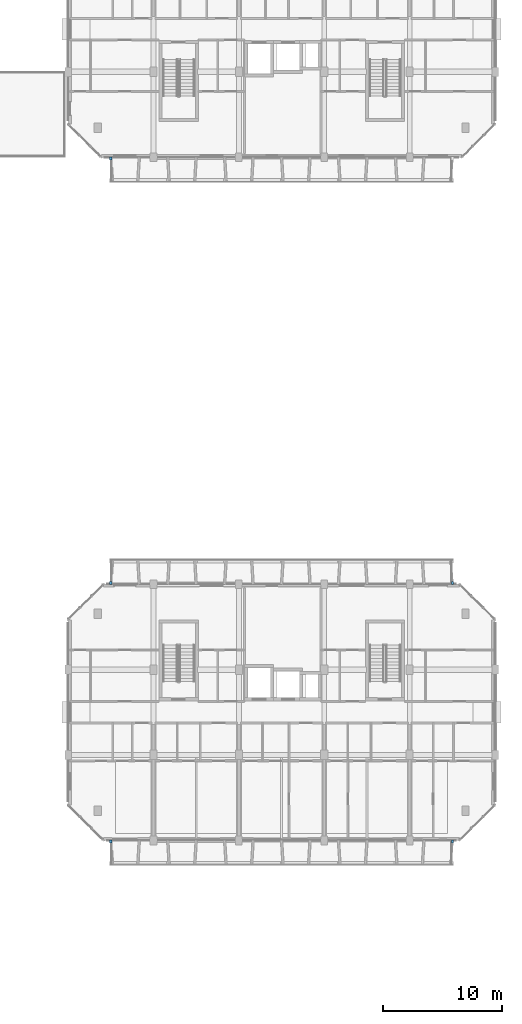
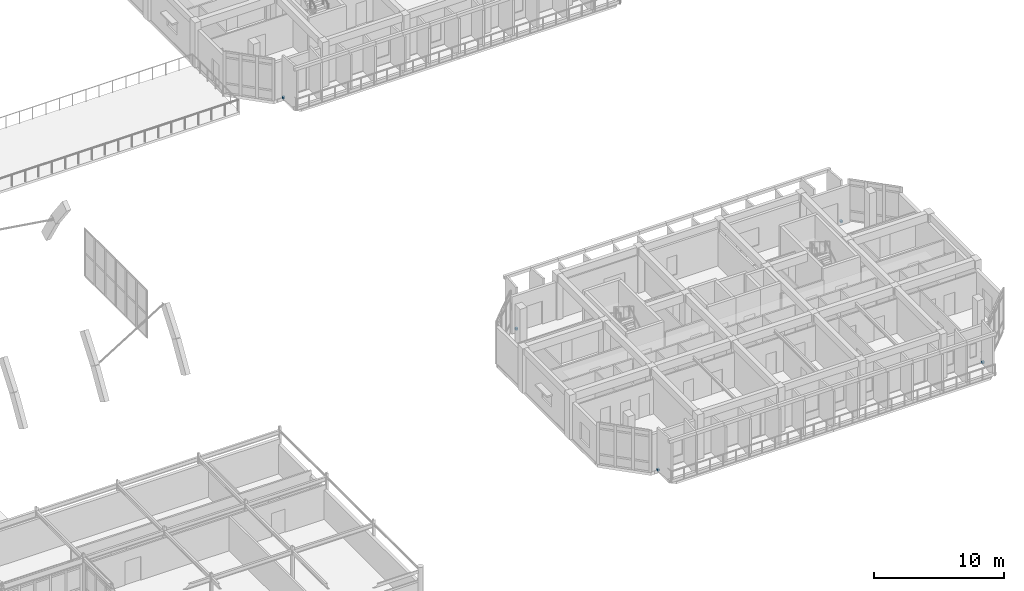
# One storey, part 66 of 85: 5 discrete accessories.
"""IFC4 building model written with IfcOpenShell, lengths in metres."""

from ifc_helpers import new_model, si_unit, direction, frame, origin, origin_2d, place, context, subcontext, project, spatial, rectangle, extrude, material, type_object, element, save


model = new_model("IFC4")

# Units and contexts
model_context = context("Model", 3, precision=1e-05, world=origin(), true_north=direction((0.0, 1.0)))
body_context = subcontext(model_context, "Body", "Model", "MODEL_VIEW")
ifc_project = project(units=[si_unit("LENGTHUNIT", "METRE"), si_unit("AREAUNIT", "SQUARE_METRE"), si_unit("VOLUMEUNIT", "CUBIC_METRE"), si_unit("PLANEANGLEUNIT", "RADIAN"), si_unit("MASSUNIT", "GRAM", prefix="KILO")], contexts=[model_context])

# Site, building, storey
site_placement = place(None, origin())
site = spatial("IfcSite", under=ifc_project, at=site_placement, CompositionType="ELEMENT")
building_placement = place(site_placement, origin())
building = spatial("IfcBuilding", under=site, at=building_placement, Name="Ochrevale Crest", CompositionType="ELEMENT")
storey_placement = place(building_placement, frame((0.0, 0.0, 4.5)))
storey = spatial("IfcBuildingStorey", under=building, at=storey_placement, Name="L01", CompositionType="ELEMENT", Elevation=4.5)

# Discrete accessories
ifc_material = material(Name="Galvanised steel", Category="steel")
discrete_accessory_type = type_object("IfcDiscreteAccessoryType", Name="ACC-BRK-HC", PredefinedType="BRACKET", material=ifc_material)
for number, where, z_axis, x_axis, name in (
    (1, (133.199951171875, 14.300048828125, 0.0), (0.0, 0.0, 1.0), (1.0, 0.0, 0.0), "Block C L01 precast loggia corbel bracket"),
    (2, (162.0, 14.300048828125, 0.0), (0.0, 0.0, 1.0), (1.0, 0.0, 0.0), "Block C L01 precast loggia corbel bracket"),
    (3, (133.199951171875, 36.10009765625, 0.0), (0.0, 0.0, 1.0), (1.0, 0.0, 0.0), "Block C L01 precast loggia corbel bracket"),
    (4, (162.0, 36.10009765625, 0.0), (0.0, 0.0, 1.0), (1.0, 0.0, 0.0), "Block C L01 precast loggia corbel bracket"),
    (5, (133.199951171875, 71.89990234375, 0.0), (0.0, 0.0, 1.0), (1.0, 0.0, 0.0), "Block D L01 precast loggia corbel bracket"),
):
    element("IfcDiscreteAccessory", number, at=place(storey_placement, frame(where, z_axis=z_axis, x_axis=x_axis)), inside=storey, type_object=discrete_accessory_type, Name=name, PredefinedType="BRACKET", context=body_context, shape_type="SweptSolid", body=[
        extrude(rectangle(XDim=0.179931640625, YDim=0.219970703125, at=origin_2d()), origin(), (0.0, 0.0, 1.0), 0.179931640625),
    ])

save(model, "model.ifc")
